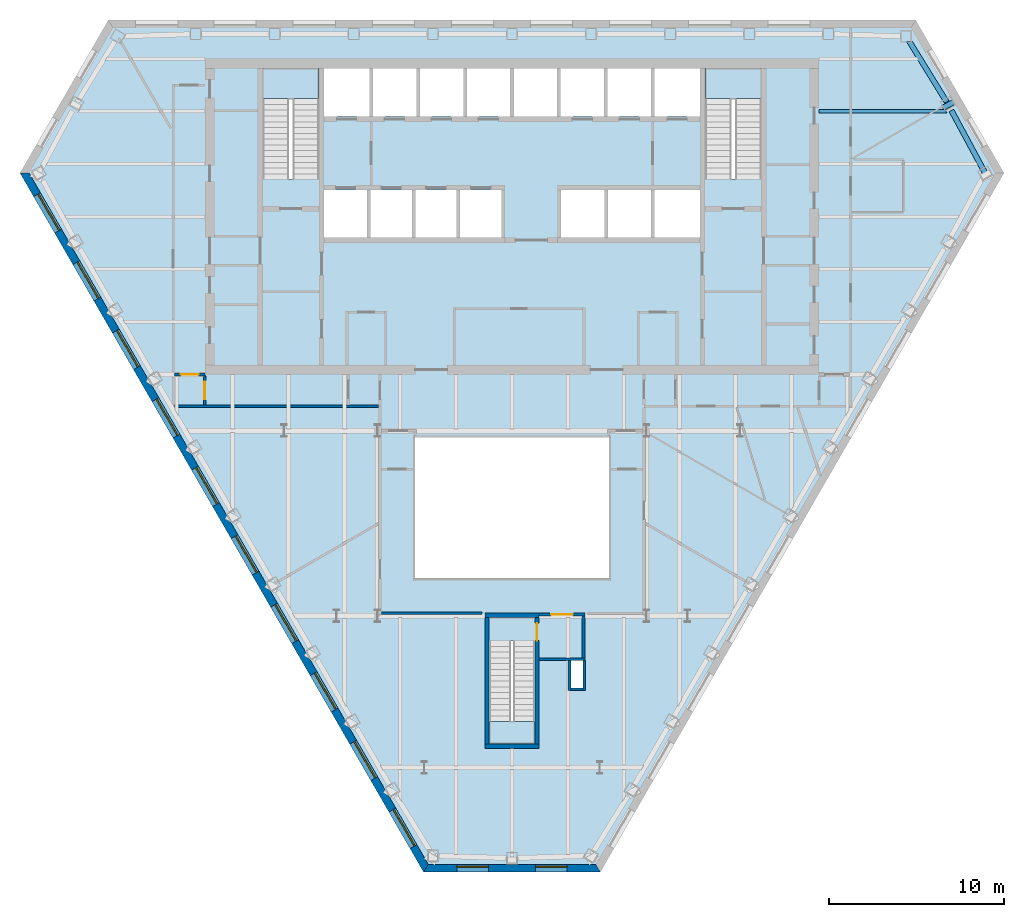
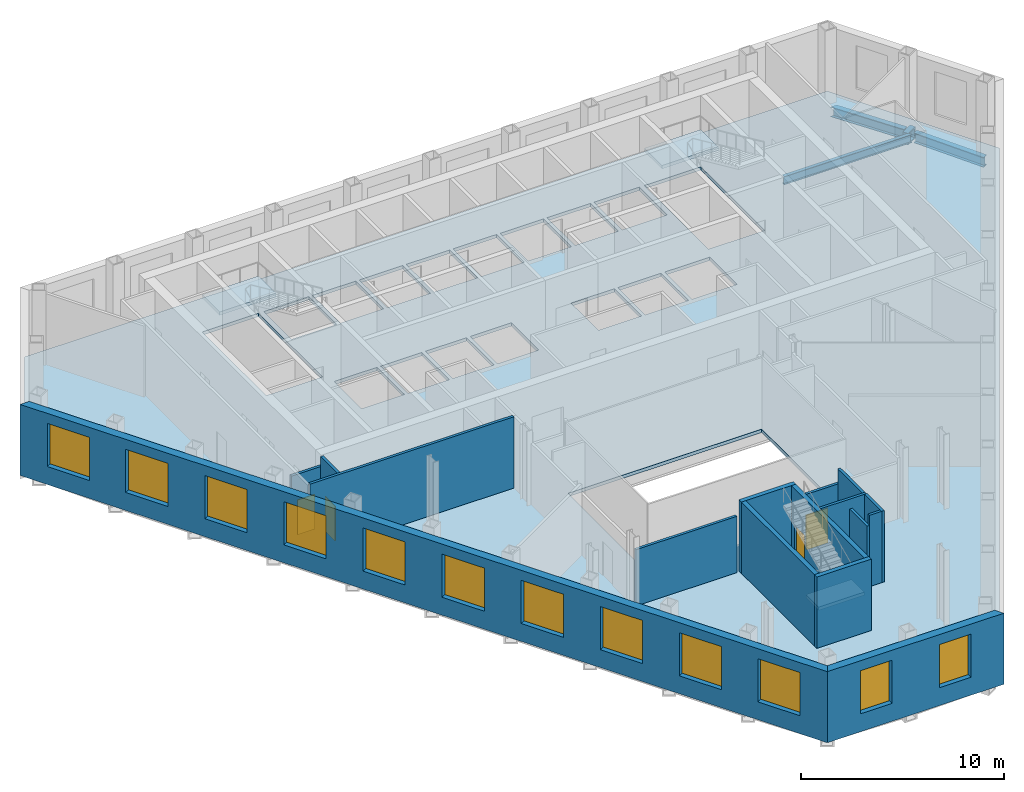
# One storey, part 4 of 11: 16 walls, 12 windows, 4 beams, 4 doors, 4 slabs, 16 openings, 3 elements without a shape of their own.
"""IFC4 building model written with IfcOpenShell, lengths in metres."""

from ifc_helpers import new_model, si_unit, direction, frame, frame_2d, origin, origin_2d, place, context, subcontext, project, spatial, polyline, rectangle, hollow_rectangle, i_section, outline, extrude, clip, halfspace, material, layer, layer_set, material_profile, profile_set, type_object, element, fill, aggregate, save


model = new_model("IFC4")

# Units and contexts
model_context = context("Model", 3, precision=1e-05, world=origin(), true_north=direction((0.0, 1.0)))
body_context = subcontext(model_context, "Body", "Model", "MODEL_VIEW")
ifc_project = project(units=[si_unit("LENGTHUNIT", "METRE"), si_unit("AREAUNIT", "SQUARE_METRE"), si_unit("VOLUMEUNIT", "CUBIC_METRE"), si_unit("PLANEANGLEUNIT", "RADIAN"), si_unit("MASSUNIT", "GRAM", prefix="KILO")], contexts=[model_context])

# Site, building, storey
site_placement = place(None, origin())
site = spatial("IfcSite", under=ifc_project, at=site_placement, CompositionType="ELEMENT")
building_placement = place(site_placement, origin())
building = spatial("IfcBuilding", under=site, at=building_placement, Name="Njiva Tower", CompositionType="ELEMENT")
storey_placement = place(building_placement, frame((0.0, 0.0, 97.8)))
storey = spatial("IfcBuildingStorey", under=building, at=storey_placement, Name="L20", CompositionType="ELEMENT", Elevation=97.8)

# Beams
ifc_material_1 = material(Name="Steel S355 J2", Category="steel")
ifc_material_profile_1 = material_profile(ifc_material_1, hollow_rectangle(XDim=0.7, YDim=0.7, WallThickness=0.08, at=origin_2d()), Name="BOX 700x700x80")
ifc_profile_set_1 = profile_set([ifc_material_profile_1], Name="Steel S355 J2")
beam_type_1 = type_object("IfcBeamType", Name="B19 Column jog beam BOX 700x700x80", PredefinedType="BEAM", material=ifc_profile_set_1)
beam_1_placement = place(storey_placement, frame((24.939, 15.231, -0.55), z_axis=(-0.479086844992, 0.877767506209, 0.0), x_axis=(-0.877767506209, -0.479086844992, 0.0)))
element("IfcBeam", 1, at=beam_1_placement, inside=storey, type_object=beam_type_1, Name="Column jog beam S07-B056", PredefinedType="BEAM", context=body_context, shape_type="SweptSolid", body=[
    extrude(hollow_rectangle(XDim=0.7, YDim=0.7, WallThickness=0.08, at=origin_2d()), origin(), (0.0, 0.0, 1.0), 0.2985),
])
ifc_material_profile_2 = material_profile(ifc_material_1, i_section(OverallWidth=0.2, OverallDepth=0.5, WebThickness=0.0102, FlangeThickness=0.016, at=origin_2d()), Name="IPE 500")
ifc_profile_set_2 = profile_set([ifc_material_profile_2], Name="Steel S355 J2")
beam_type_2 = type_object("IfcBeamType", Name="B24 Floor beam to the core IPE 500", PredefinedType="BEAM", material=ifc_profile_set_2)
beam_2_placement = place(storey_placement, frame((17.5, 15.0, -0.45), z_axis=(1.0, 0.0, 0.0), x_axis=(0.0, 1.0, 0.0)))
element("IfcBeam", 2, at=beam_2_placement, inside=storey, type_object=beam_type_2, Name="Floor beam to the core S07-B012", PredefinedType="BEAM", context=body_context, shape_type="Clipping", body=[
    clip(extrude(i_section(OverallWidth=0.2, OverallDepth=0.5, WebThickness=0.0102, FlangeThickness=0.016, at=origin_2d()), origin(), (0.0, 0.0, 1.0), 7.306), halfspace(frame((0.025, 0.0, 7.2131), z_axis=(0.499998009787, 0.0, 0.866026552831), x_axis=(0.0, 1.0, 0.0)), False)),
])
ifc_material_profile_3 = material_profile(ifc_material_1, i_section(OverallWidth=0.3, OverallDepth=0.6, WebThickness=0.0155, FlangeThickness=0.03, at=origin_2d()), Name="HEB 600")
ifc_profile_set_3 = profile_set([ifc_material_profile_3], Name="Steel S355 J2")
beam_type_3 = type_object("IfcBeamType", Name="B3 Short-span spandrel beam HEB 600", PredefinedType="SPANDREL", material=ifc_profile_set_3)
beam_3_placement = place(storey_placement, frame((26.958, 11.479, -0.5), z_axis=(-0.474217832527, 0.880407546147, 0.0), x_axis=(-0.880407546147, -0.474217832527, 0.0)))
element("IfcBeam", 3, at=beam_3_placement, inside=storey, type_object=beam_type_3, Name="Short-span spandrel beam S07-B164", PredefinedType="SPANDREL", context=body_context, shape_type="SweptSolid", body=[
    extrude(i_section(OverallWidth=0.3, OverallDepth=0.6, WebThickness=0.0155, FlangeThickness=0.03, at=origin_2d()), origin(), (0.0, 0.0, 1.0), 4.0424),
])
beam_4_placement = place(storey_placement, frame((24.771, 15.526, -0.5), z_axis=(-0.525434973083, 0.85083376112, 0.0), x_axis=(-0.85083376112, -0.525434973083, 0.0)))
element("IfcBeam", 4, at=beam_4_placement, inside=storey, type_object=beam_type_3, Name="Short-span spandrel beam S07-B159", PredefinedType="SPANDREL", context=body_context, shape_type="Clipping", body=[
    clip(extrude(i_section(OverallWidth=0.3, OverallDepth=0.6, WebThickness=0.0155, FlangeThickness=0.03, at=origin_2d()), origin(), (0.0, 0.0, 1.0), 4.1573), halfspace(frame((-0.0266, 0.0, 4.0278), z_axis=(-0.525434973083, 0.0, 0.85083376112), x_axis=(0.0, 1.0, 0.0)), False)),
])

# Stair, slab
ifc_material_2 = material(Name="Concrete C40/50", Category="concrete")
stair_type_1 = type_object("IfcStairType", Name="ST4 Exit stair 1500", PredefinedType="HALF_TURN_STAIR", material=ifc_material_2)
stair_1_placement = place(storey_placement, origin())
stair_1 = element("IfcStair", 5, at=stair_1_placement, inside=storey, type_object=stair_type_1, Name="Stair A", PredefinedType="HALF_TURN_STAIR")
ifc_layer_1 = layer(ifc_material_2, 0.2)
ifc_layer_set_1 = layer_set([ifc_layer_1], Name="Concrete C40/50")
slab_type_1 = type_object("IfcSlabType", Name="FL9 Stair landing 200", PredefinedType="LANDING", material=ifc_layer_set_1)
slab_1_placement = place(storey_placement, frame((0.0, 0.0, 2.05)))
slab_1 = element("IfcSlab", 6, at=slab_1_placement, type_object=slab_type_1, Name="ST-A landing 1", PredefinedType="LANDING", context=body_context, shape_type="SweptSolid", body=[
    extrude(outline(polyline([(-14.206, 15.72), (-10.994, 15.72), (-10.994, 17.45), (-14.206, 17.45), (-14.206, 15.72)])), origin(), (0.0, 0.0, 1.0), 0.2),
])
aggregate(stair_1, [slab_1])

stair_2_placement = place(storey_placement, origin())
stair_2 = element("IfcStair", 7, at=stair_2_placement, inside=storey, type_object=stair_type_1, Name="Stair B", PredefinedType="HALF_TURN_STAIR")
slab_2_placement = place(storey_placement, frame((0.0, 0.0, 2.05)))
slab_2 = element("IfcSlab", 8, at=slab_2_placement, type_object=slab_type_1, Name="ST-B landing 1", PredefinedType="LANDING", context=body_context, shape_type="SweptSolid", body=[
    extrude(outline(polyline([(10.994, 15.72), (14.206, 15.72), (14.206, 17.45), (10.994, 17.45), (10.994, 15.72)])), origin(), (0.0, 0.0, 1.0), 0.2),
])
aggregate(stair_2, [slab_2])

stair_type_2 = type_object("IfcStairType", Name="ST1 Exit stair 1250", PredefinedType="HALF_TURN_STAIR", material=ifc_material_2)
stair_3_placement = place(storey_placement, origin())
stair_3 = element("IfcStair", 9, at=stair_3_placement, inside=storey, type_object=stair_type_2, Name="Stair C", PredefinedType="HALF_TURN_STAIR")
slab_3_placement = place(storey_placement, frame((0.0, 0.0, 2.05)))
slab_3 = element("IfcSlab", 10, at=slab_3_placement, type_object=slab_type_1, Name="ST-C landing 1", PredefinedType="LANDING", context=body_context, shape_type="SweptSolid", body=[
    extrude(outline(polyline([(-1.306, -21.05), (1.306, -21.05), (1.306, -19.78), (-1.306, -19.78), (-1.306, -21.05)])), origin(), (0.0, 0.0, 1.0), 0.2),
])
aggregate(stair_3, [slab_3])

# Slab
ifc_material_3 = material(Name="Concrete C30/37", Category="concrete")
ifc_layer_2 = layer(ifc_material_3, 0.2)
ifc_layer_set_2 = layer_set([ifc_layer_2], Name="Concrete C30/37")
slab_type_2 = type_object("IfcSlabType", Name="SL16 Composite floor slab 200", PredefinedType="FLOOR", material=ifc_layer_set_2)
slab_4_placement = place(storey_placement, frame((0.0, 0.0, -0.2)))
element("IfcSlab", 11, at=slab_4_placement, inside=storey, type_object=slab_type_2, Name="Floor slab L20", PredefinedType="FLOOR", context=body_context, shape_type="SweptSolid", body=[
    extrude(outline(polyline([(27.7752, 11.4791), (4.9051, -28.133), (-4.9051, -28.133), (-27.7752, 11.4791), (-22.8701, 19.975), (22.8701, 19.975), (27.7752, 11.4791)]), holes=[polyline([(10.994, 11.13), (14.206, 11.13), (14.206, 17.45), (10.994, 17.45), (10.994, 11.13)]), polyline([(8.125, 17.45), (8.125, 14.7), (10.7, 14.7), (10.7, 17.45), (8.125, 17.45)]), polyline([(8.1333, 10.5), (8.1333, 7.8), (10.7, 7.8), (10.7, 10.5), (8.1333, 10.5)]), polyline([(5.4667, 10.5), (5.4667, 7.8), (7.9333, 7.8), (7.9333, 10.5), (5.4667, 10.5)]), polyline([(5.45, 17.45), (5.45, 14.7), (7.925, 14.7), (7.925, 17.45), (5.45, 17.45)]), polyline([(5.52, -11.6), (5.52, -3.6), (-5.52, -3.6), (-5.52, -11.6), (5.52, -11.6)]), polyline([(2.8, 7.8), (5.2667, 7.8), (5.2667, 10.5), (2.8, 10.5), (2.8, 7.8)]), polyline([(2.775, 14.7), (5.25, 14.7), (5.25, 17.45), (2.775, 17.45), (2.775, 14.7)]), polyline([(3.35, -17.85), (4.05, -17.85), (4.05, -16.3), (3.35, -16.3), (3.35, -17.85)]), polyline([(0.1, 14.7), (2.575, 14.7), (2.575, 17.45), (0.1, 17.45), (0.1, 14.7)]), polyline([(-1.306, -21.05), (1.306, -21.05), (1.306, -15.19), (-1.306, -15.19), (-1.306, -21.05)]), polyline([(-2.575, 17.45), (-2.575, 14.7), (-0.1, 14.7), (-0.1, 17.45), (-2.575, 17.45)]), polyline([(-2.95, 10.5), (-2.95, 7.8), (-0.6, 7.8), (-0.6, 10.5), (-2.95, 10.5)]), polyline([(-5.25, 17.45), (-5.25, 14.7), (-2.775, 14.7), (-2.775, 17.45), (-5.25, 17.45)]), polyline([(-5.5, 10.5), (-5.5, 7.8), (-3.15, 7.8), (-3.15, 10.5), (-5.5, 10.5)]), polyline([(-7.925, 14.7), (-5.45, 14.7), (-5.45, 17.45), (-7.925, 17.45), (-7.925, 14.7)]), polyline([(-8.05, 7.8), (-5.7, 7.8), (-5.7, 10.5), (-8.05, 10.5), (-8.05, 7.8)]), polyline([(-10.7, 14.7), (-8.125, 14.7), (-8.125, 17.45), (-10.7, 17.45), (-10.7, 14.7)]), polyline([(-10.7, 7.8), (-8.25, 7.8), (-8.25, 10.5), (-10.7, 10.5), (-10.7, 7.8)]), polyline([(-14.206, 11.13), (-10.994, 11.13), (-10.994, 17.45), (-14.206, 17.45), (-14.206, 11.13)])]), origin(), (0.0, 0.0, 1.0), 0.2),
])

# Wall
ifc_material_4 = material(Name="Gypsum board on steel studs", Category="gypsum")
ifc_layer_3 = layer(ifc_material_4, 0.15)
ifc_layer_set_3 = layer_set([ifc_layer_3], Name="Gypsum board on steel studs")
wall_type_1 = type_object("IfcWallType", Name="WT21 Compartment wall 150", PredefinedType="PARTITIONING", material=ifc_layer_set_3)
wall_1_placement = place(storey_placement, frame((-19.225, -1.8, 0.0), z_axis=(0.0, 0.0, 1.0), x_axis=(1.0, 0.0, 0.0)))
element("IfcWall", 12, at=wall_1_placement, inside=storey, type_object=wall_type_1, Name="Partition S07-P003", PredefinedType="PARTITIONING", context=body_context, shape_type="SweptSolid", body=[
    extrude(rectangle(XDim=11.63, YDim=0.15, at=frame_2d((5.815, 0.0))), origin(), (0.0, 0.0, 1.0), 4.3),
])

# Wall, opening, door
wall_2_placement = place(storey_placement, frame((-19.225, 0.0, 0.0), z_axis=(0.0, 0.0, 1.0), x_axis=(1.0, 0.0, 0.0)))
wall_2 = element("IfcWall", 13, at=wall_2_placement, inside=storey, type_object=wall_type_1, Name="Partition S07-P004", PredefinedType="PARTITIONING", context=body_context, shape_type="SweptSolid", body=[
    extrude(rectangle(XDim=1.725, YDim=0.15, at=frame_2d((0.8625, 0.0))), origin(), (0.0, 0.0, 1.0), 3.7),
])
opening_1_placement = place(wall_2_placement, frame((0.363, 0.0, 0.0)))
opening_1 = element("IfcOpeningElement", 14, at=opening_1_placement, cuts=wall_2, Name="Opening S07-D002", PredefinedType="OPENING", context=body_context, shape_type="SweptSolid", body=[
    extrude(rectangle(XDim=1.0, YDim=2.1, at=frame_2d((0.5, 1.05))), frame((0.0, 0.085, 0.0), z_axis=(0.0, -1.0, 0.0), x_axis=(1.0, 0.0, 0.0)), (0.0, 0.0, 1.0), 0.17),
])
ifc_material_5 = material(Name="Steel fire door set", Category="steel")
door_type_1 = type_object("IfcDoorType", Name="D37 Fire door 1000x2100", OperationType="SINGLE_SWING_LEFT", PredefinedType="DOOR", material=ifc_material_5)
door_1_placement = place(opening_1_placement, origin())
door_1 = element("IfcDoor", 15, at=door_1_placement, inside=storey, type_object=door_type_1, Name="Door S07-D002", OperationType="SINGLE_SWING_LEFT", OverallHeight=2.1, OverallWidth=1.0, PredefinedType="DOOR", context=body_context, shape_type="SweptSolid", body=[
    extrude(rectangle(XDim=1.0, YDim=2.1, at=frame_2d((0.5, 1.05))), frame((0.0, 0.025, 0.0), z_axis=(0.0, -1.0, 0.0), x_axis=(1.0, 0.0, 0.0)), (0.0, 0.0, 1.0), 0.05),
])
fill(opening_1, door_1)

wall_3_placement = place(storey_placement, frame((-17.5, -1.725, 0.0), z_axis=(0.0, 0.0, 1.0), x_axis=(0.0, 1.0, 0.0)))
wall_3 = element("IfcWall", 16, at=wall_3_placement, inside=storey, type_object=wall_type_1, Name="Partition S07-P006", PredefinedType="PARTITIONING", context=body_context, shape_type="SweptSolid", body=[
    extrude(rectangle(XDim=1.65, YDim=0.15, at=frame_2d((0.825, 0.0))), origin(), (0.0, 0.0, 1.0), 4.3),
])
opening_2_placement = place(wall_3_placement, frame((0.325, 0.0, 0.0)))
opening_2 = element("IfcOpeningElement", 17, at=opening_2_placement, cuts=wall_3, Name="Opening S07-D004", PredefinedType="OPENING", context=body_context, shape_type="SweptSolid", body=[
    extrude(rectangle(XDim=1.0, YDim=2.1, at=frame_2d((0.5, 1.05))), frame((0.0, 0.085, 0.0), z_axis=(0.0, -1.0, 0.0), x_axis=(1.0, 0.0, 0.0)), (0.0, 0.0, 1.0), 0.17),
])
door_2_placement = place(opening_2_placement, origin())
door_2 = element("IfcDoor", 18, at=door_2_placement, inside=storey, type_object=door_type_1, Name="Door S07-D004", OperationType="SINGLE_SWING_LEFT", OverallHeight=2.1, OverallWidth=1.0, PredefinedType="DOOR", context=body_context, shape_type="SweptSolid", body=[
    extrude(rectangle(XDim=1.0, YDim=2.1, at=frame_2d((0.5, 1.05))), frame((0.0, 0.025, 0.0), z_axis=(0.0, -1.0, 0.0), x_axis=(1.0, 0.0, 0.0)), (0.0, 0.0, 1.0), 0.05),
])
fill(opening_2, door_2)

# Walls
wall_4_placement = place(storey_placement, frame((-7.445, -13.6, 0.0), z_axis=(0.0, 0.0, 1.0), x_axis=(1.0, 0.0, 0.0)))
element("IfcWall", 19, at=wall_4_placement, inside=storey, type_object=wall_type_1, Name="Partition S07-P011", PredefinedType="PARTITIONING", context=body_context, shape_type="SweptSolid", body=[
    extrude(rectangle(XDim=5.745, YDim=0.15, at=frame_2d((2.8725, 0.0))), origin(), (0.0, 0.0, 1.0), 3.39),
])
ifc_material_6 = material(Name="Blockwork", Category="masonry")
ifc_layer_4 = layer(ifc_material_6, 0.15)
ifc_layer_set_4 = layer_set([ifc_layer_4], Name="Blockwork")
wall_type_2 = type_object("IfcWallType", Name="WT4 Stair partition 150", PredefinedType="PARTITIONING", material=ifc_layer_set_4)
wall_5_placement = place(storey_placement, frame((1.55, -16.225, 0.0), z_axis=(0.0, 0.0, 1.0), x_axis=(1.0, 0.0, 0.0)))
element("IfcWall", 20, at=wall_5_placement, inside=storey, type_object=wall_type_2, Name="Stair C vestibule wall south", PredefinedType="PARTITIONING", context=body_context, shape_type="SweptSolid", body=[
    extrude(rectangle(XDim=2.6, YDim=0.15, at=frame_2d((1.3, 0.0))), origin(), (0.0, 0.0, 1.0), 4.3),
])
wall_6_placement = place(storey_placement, frame((4.075, -16.15, 0.0), z_axis=(0.0, 0.0, 1.0), x_axis=(0.0, 1.0, 0.0)))
element("IfcWall", 21, at=wall_6_placement, inside=storey, type_object=wall_type_2, Name="Stair C vestibule wall east", PredefinedType="PARTITIONING", context=body_context, shape_type="SweptSolid", body=[
    extrude(rectangle(XDim=2.4, YDim=0.15, at=frame_2d((1.2, 0.0))), origin(), (0.0, 0.0, 1.0), 4.3),
])

# Wall, opening, door
wall_7_placement = place(storey_placement, frame((1.55, -13.675, 0.0), z_axis=(0.0, 0.0, 1.0), x_axis=(1.0, 0.0, 0.0)))
wall_7 = element("IfcWall", 22, at=wall_7_placement, inside=storey, type_object=wall_type_2, Name="Stair C vestibule wall north", PredefinedType="PARTITIONING", context=body_context, shape_type="SweptSolid", body=[
    extrude(rectangle(XDim=2.6, YDim=0.15, at=frame_2d((1.3, 0.0))), origin(), (0.0, 0.0, 1.0), 3.39),
])
opening_3_placement = place(wall_7_placement, frame((0.675, 0.0, 0.0)))
opening_3 = element("IfcOpeningElement", 23, at=opening_3_placement, cuts=wall_7, Name="Opening S07-D939", PredefinedType="OPENING", context=body_context, shape_type="SweptSolid", body=[
    extrude(rectangle(XDim=1.25, YDim=2.1, at=frame_2d((0.625, 1.05))), frame((0.0, 0.085, 0.0), z_axis=(0.0, -1.0, 0.0), x_axis=(1.0, 0.0, 0.0)), (0.0, 0.0, 1.0), 0.17),
])
ifc_material_7 = material(Name="Glazed steel fire door", Category="steel")
door_type_2 = type_object("IfcDoorType", Name="D8 Vestibule corridor door 1250x2100 glazed", OperationType="SINGLE_SWING_LEFT", PredefinedType="DOOR", material=ifc_material_7)
door_3_placement = place(opening_3_placement, origin())
door_3 = element("IfcDoor", 24, at=door_3_placement, inside=storey, type_object=door_type_2, Name="Stair vestibule corridor door", OperationType="SINGLE_SWING_RIGHT", OverallHeight=2.1, OverallWidth=1.25, PredefinedType="DOOR", context=body_context, shape_type="SweptSolid", body=[
    extrude(rectangle(XDim=1.25, YDim=2.1, at=frame_2d((0.625, 1.05))), frame((0.0, 0.025, 0.0), z_axis=(0.0, -1.0, 0.0), x_axis=(1.0, 0.0, 0.0)), (0.0, 0.0, 1.0), 0.05),
])
fill(opening_3, door_3)

# Walls
wall_8_placement = place(storey_placement, frame((3.275, -18.0, 0.0), z_axis=(0.0, 0.0, 1.0), x_axis=(0.0, 1.0, 0.0)))
element("IfcWall", 25, at=wall_8_placement, inside=storey, type_object=wall_type_2, Name="Stair C pressurisation shaft wall", PredefinedType="PARTITIONING", context=body_context, shape_type="SweptSolid", body=[
    extrude(rectangle(XDim=1.7, YDim=0.15, at=frame_2d((0.85, 0.0))), origin(), (0.0, 0.0, 1.0), 3.7),
])
wall_9_placement = place(storey_placement, frame((3.35, -17.925, 0.0), z_axis=(0.0, 0.0, 1.0), x_axis=(1.0, 0.0, 0.0)))
element("IfcWall", 26, at=wall_9_placement, inside=storey, type_object=wall_type_2, Name="Stair C pressurisation shaft wall", PredefinedType="PARTITIONING", context=body_context, shape_type="SweptSolid", body=[
    extrude(rectangle(XDim=0.7, YDim=0.15, at=frame_2d((0.35, 0.0))), origin(), (0.0, 0.0, 1.0), 4.3),
])
wall_10_placement = place(storey_placement, frame((4.125, -18.0, 0.0), z_axis=(0.0, 0.0, 1.0), x_axis=(0.0, 1.0, 0.0)))
element("IfcWall", 27, at=wall_10_placement, inside=storey, type_object=wall_type_2, Name="Stair C pressurisation shaft wall", PredefinedType="PARTITIONING", context=body_context, shape_type="SweptSolid", body=[
    extrude(rectangle(XDim=1.7, YDim=0.15, at=frame_2d((0.85, 0.0))), origin(), (0.0, 0.0, 1.0), 4.3),
])
ifc_layer_5 = layer(ifc_material_2, 0.25)
ifc_layer_set_5 = layer_set([ifc_layer_5], Name="Concrete C40/50")
wall_type_3 = type_object("IfcWallType", Name="WT9 Stair enclosure wall 250", PredefinedType="SHEAR", material=ifc_layer_set_5)
wall_11_placement = place(storey_placement, frame((-1.425, -21.05, 0.0), z_axis=(0.0, 0.0, 1.0), x_axis=(0.0, 1.0, 0.0)))
element("IfcWall", 28, at=wall_11_placement, inside=storey, type_object=wall_type_3, Name="Stair C wall west", PredefinedType="SHEAR", context=body_context, shape_type="SweptSolid", body=[
    extrude(rectangle(XDim=7.2, YDim=0.25, at=frame_2d((3.6, 0.0))), origin(), (0.0, 0.0, 1.0), 4.3),
])

# Wall, opening, door
wall_12_placement = place(storey_placement, frame((1.425, -21.05, 0.0), z_axis=(0.0, 0.0, 1.0), x_axis=(0.0, 1.0, 0.0)))
wall_12 = element("IfcWall", 29, at=wall_12_placement, inside=storey, type_object=wall_type_3, Name="Stair C wall east", PredefinedType="SHEAR", context=body_context, shape_type="SweptSolid", body=[
    extrude(rectangle(XDim=7.2, YDim=0.25, at=frame_2d((3.6, 0.0))), origin(), (0.0, 0.0, 1.0), 4.3),
])
opening_4_placement = place(wall_12_placement, frame((5.89, 0.0, 0.0)))
opening_4 = element("IfcOpeningElement", 30, at=opening_4_placement, cuts=wall_12, Name="Opening S07-D938", PredefinedType="OPENING", context=body_context, shape_type="SweptSolid", body=[
    extrude(rectangle(XDim=1.0, YDim=2.1, at=frame_2d((0.5, 1.05))), frame((0.0, 0.135, 0.0), z_axis=(0.0, -1.0, 0.0), x_axis=(1.0, 0.0, 0.0)), (0.0, 0.0, 1.0), 0.27),
])
door_type_3 = type_object("IfcDoorType", Name="D9 Stair vestibule door 1000x2100 glazed", OperationType="SINGLE_SWING_LEFT", PredefinedType="DOOR", material=ifc_material_7)
door_4_placement = place(opening_4_placement, origin())
door_4 = element("IfcDoor", 31, at=door_4_placement, inside=storey, type_object=door_type_3, Name="Stair C door", OperationType="SINGLE_SWING_LEFT", OverallHeight=2.1, OverallWidth=1.0, PredefinedType="DOOR", context=body_context, shape_type="SweptSolid", body=[
    extrude(rectangle(XDim=1.0, YDim=2.1, at=frame_2d((0.5, 1.05))), frame((0.0, 0.025, 0.0), z_axis=(0.0, -1.0, 0.0), x_axis=(1.0, 0.0, 0.0)), (0.0, 0.0, 1.0), 0.05),
])
fill(opening_4, door_4)

# Walls
for number, where, z_axis, x_axis, name in (
    (32, (-1.55, -21.175, 0.0), (0.0, 0.0, 1.0), (1.0, 0.0, 0.0), "Stair C wall south"),
    (33, (-1.55, -13.725, 0.0), (0.0, 0.0, 1.0), (1.0, 0.0, 0.0), "Stair C wall north"),
):
    element("IfcWall", number, at=place(storey_placement, frame(where, z_axis=z_axis, x_axis=x_axis)), inside=storey, type_object=wall_type_3, Name=name, PredefinedType="SHEAR", context=body_context, shape_type="SweptSolid", body=[
        extrude(rectangle(XDim=3.1, YDim=0.25, at=frame_2d((1.55, 0.0))), origin(), (0.0, 0.0, 1.0), 4.3),
    ])

# Wall, openings, windows
ifc_material_8 = material(Name="Brick masonry", Category="masonry")
ifc_layer_6 = layer(ifc_material_8, 0.45)
ifc_layer_set_6 = layer_set([ifc_layer_6], Name="Brick masonry")
wall_type_4 = type_object("IfcWallType", Name="WT90 Brick pier and spandrel wall 450", PredefinedType="SOLIDWALL", material=ifc_layer_set_6)
wall_13_placement = place(storey_placement, frame((-27.7752, 11.4791, -0.18), z_axis=(0.0, 0.0, 1.0), x_axis=(0.500000711659, -0.866024992908, 0.0)))
wall_13 = element("IfcWall", 34, at=wall_13_placement, inside=storey, type_object=wall_type_4, Name="Facade wall SW", PredefinedType="SOLIDWALL", context=body_context, shape_type="SweptSolid", body=[
    extrude(outline(polyline([(-0.1299, -0.225), (45.87, -0.225), (45.6102, 0.225), (0.1299, 0.225), (-0.1299, -0.225)])), origin(), (0.0, 0.0, 1.0), 4.28),
])
opening_5_placement = place(wall_13_placement, frame((1.4242, 0.0, 1.08)))
opening_5 = element("IfcOpeningElement", 35, at=opening_5_placement, cuts=wall_13, Name="Opening S07-W12", PredefinedType="OPENING", context=body_context, shape_type="SweptSolid", body=[
    extrude(rectangle(XDim=2.4, YDim=2.6, at=frame_2d((1.2, 1.3))), frame((0.0, 0.235, 0.0), z_axis=(0.0, -1.0, 0.0), x_axis=(1.0, 0.0, 0.0)), (0.0, 0.0, 1.0), 0.47),
])
opening_6_placement = place(wall_13_placement, frame((5.8934, 0.0, 1.08)))
opening_6 = element("IfcOpeningElement", 36, at=opening_6_placement, cuts=wall_13, Name="Opening S07-W13", PredefinedType="OPENING", context=body_context, shape_type="SweptSolid", body=[
    extrude(rectangle(XDim=2.4, YDim=2.6, at=frame_2d((1.2, 1.3))), frame((0.0, 0.235, 0.0), z_axis=(0.0, -1.0, 0.0), x_axis=(1.0, 0.0, 0.0)), (0.0, 0.0, 1.0), 0.47),
])
opening_7_placement = place(wall_13_placement, frame((10.401, 0.0, 1.08)))
opening_7 = element("IfcOpeningElement", 37, at=opening_7_placement, cuts=wall_13, Name="Opening S07-W14", PredefinedType="OPENING", context=body_context, shape_type="SweptSolid", body=[
    extrude(rectangle(XDim=2.4, YDim=2.6, at=frame_2d((1.2, 1.3))), frame((0.0, 0.235, 0.0), z_axis=(0.0, -1.0, 0.0), x_axis=(1.0, 0.0, 0.0)), (0.0, 0.0, 1.0), 0.47),
])
opening_8_placement = place(wall_13_placement, frame((14.9087, 0.0, 1.08)))
opening_8 = element("IfcOpeningElement", 38, at=opening_8_placement, cuts=wall_13, Name="Opening S07-W15", PredefinedType="OPENING", context=body_context, shape_type="SweptSolid", body=[
    extrude(rectangle(XDim=2.4, YDim=2.6, at=frame_2d((1.2, 1.3))), frame((0.0, 0.235, 0.0), z_axis=(0.0, -1.0, 0.0), x_axis=(1.0, 0.0, 0.0)), (0.0, 0.0, 1.0), 0.47),
])
opening_9_placement = place(wall_13_placement, frame((19.4163, 0.0, 1.08)))
opening_9 = element("IfcOpeningElement", 39, at=opening_9_placement, cuts=wall_13, Name="Opening S07-W16", PredefinedType="OPENING", context=body_context, shape_type="SweptSolid", body=[
    extrude(rectangle(XDim=2.4, YDim=2.6, at=frame_2d((1.2, 1.3))), frame((0.0, 0.235, 0.0), z_axis=(0.0, -1.0, 0.0), x_axis=(1.0, 0.0, 0.0)), (0.0, 0.0, 1.0), 0.47),
])
opening_10_placement = place(wall_13_placement, frame((23.9239, 0.0, 1.08)))
opening_10 = element("IfcOpeningElement", 40, at=opening_10_placement, cuts=wall_13, Name="Opening S07-W17", PredefinedType="OPENING", context=body_context, shape_type="SweptSolid", body=[
    extrude(rectangle(XDim=2.4, YDim=2.6, at=frame_2d((1.2, 1.3))), frame((0.0, 0.235, 0.0), z_axis=(0.0, -1.0, 0.0), x_axis=(1.0, 0.0, 0.0)), (0.0, 0.0, 1.0), 0.47),
])
opening_11_placement = place(wall_13_placement, frame((28.4315, 0.0, 1.08)))
opening_11 = element("IfcOpeningElement", 41, at=opening_11_placement, cuts=wall_13, Name="Opening S07-W18", PredefinedType="OPENING", context=body_context, shape_type="SweptSolid", body=[
    extrude(rectangle(XDim=2.4, YDim=2.6, at=frame_2d((1.2, 1.3))), frame((0.0, 0.235, 0.0), z_axis=(0.0, -1.0, 0.0), x_axis=(1.0, 0.0, 0.0)), (0.0, 0.0, 1.0), 0.47),
])
opening_12_placement = place(wall_13_placement, frame((32.9391, 0.0, 1.08)))
opening_12 = element("IfcOpeningElement", 42, at=opening_12_placement, cuts=wall_13, Name="Opening S07-W19", PredefinedType="OPENING", context=body_context, shape_type="SweptSolid", body=[
    extrude(rectangle(XDim=2.4, YDim=2.6, at=frame_2d((1.2, 1.3))), frame((0.0, 0.235, 0.0), z_axis=(0.0, -1.0, 0.0), x_axis=(1.0, 0.0, 0.0)), (0.0, 0.0, 1.0), 0.47),
])
opening_13_placement = place(wall_13_placement, frame((37.4468, 0.0, 1.08)))
opening_13 = element("IfcOpeningElement", 43, at=opening_13_placement, cuts=wall_13, Name="Opening S07-W20", PredefinedType="OPENING", context=body_context, shape_type="SweptSolid", body=[
    extrude(rectangle(XDim=2.4, YDim=2.6, at=frame_2d((1.2, 1.3))), frame((0.0, 0.235, 0.0), z_axis=(0.0, -1.0, 0.0), x_axis=(1.0, 0.0, 0.0)), (0.0, 0.0, 1.0), 0.47),
])
opening_14_placement = place(wall_13_placement, frame((41.916, 0.0, 1.08)))
opening_14 = element("IfcOpeningElement", 44, at=opening_14_placement, cuts=wall_13, Name="Opening S07-W21", PredefinedType="OPENING", context=body_context, shape_type="SweptSolid", body=[
    extrude(rectangle(XDim=2.4, YDim=2.6, at=frame_2d((1.2, 1.3))), frame((0.0, 0.235, 0.0), z_axis=(0.0, -1.0, 0.0), x_axis=(1.0, 0.0, 0.0)), (0.0, 0.0, 1.0), 0.47),
])
ifc_material_9 = material(Name="Clear glazing in aluminium frame", Category="aluminium")
window_type_1 = type_object("IfcWindowType", Name="W92 Deep-set window 2400x2600", PartitioningType="SINGLE_PANEL", PredefinedType="WINDOW", material=ifc_material_9)
window_1_placement = place(opening_5_placement, origin())
window_1 = element("IfcWindow", 45, at=window_1_placement, inside=storey, type_object=window_type_1, Name="Window", OverallHeight=2.6, OverallWidth=2.4, PartitioningType="SINGLE_PANEL", PredefinedType="WINDOW", context=body_context, shape_type="SweptSolid", body=[
    extrude(rectangle(XDim=2.4, YDim=2.6, at=frame_2d((1.2, 1.3))), frame((0.0, 0.105, 0.0), z_axis=(0.0, -1.0, 0.0), x_axis=(1.0, 0.0, 0.0)), (0.0, 0.0, 1.0), 0.06),
])
fill(opening_5, window_1)
window_2_placement = place(opening_6_placement, origin())
window_2 = element("IfcWindow", 46, at=window_2_placement, inside=storey, type_object=window_type_1, Name="Window", OverallHeight=2.6, OverallWidth=2.4, PartitioningType="SINGLE_PANEL", PredefinedType="WINDOW", context=body_context, shape_type="SweptSolid", body=[
    extrude(rectangle(XDim=2.4, YDim=2.6, at=frame_2d((1.2, 1.3))), frame((0.0, 0.105, 0.0), z_axis=(0.0, -1.0, 0.0), x_axis=(1.0, 0.0, 0.0)), (0.0, 0.0, 1.0), 0.06),
])
fill(opening_6, window_2)
window_3_placement = place(opening_7_placement, origin())
window_3 = element("IfcWindow", 47, at=window_3_placement, inside=storey, type_object=window_type_1, Name="Window", OverallHeight=2.6, OverallWidth=2.4, PartitioningType="SINGLE_PANEL", PredefinedType="WINDOW", context=body_context, shape_type="SweptSolid", body=[
    extrude(rectangle(XDim=2.4, YDim=2.6, at=frame_2d((1.2, 1.3))), frame((0.0, 0.105, 0.0), z_axis=(0.0, -1.0, 0.0), x_axis=(1.0, 0.0, 0.0)), (0.0, 0.0, 1.0), 0.06),
])
fill(opening_7, window_3)
window_4_placement = place(opening_8_placement, origin())
window_4 = element("IfcWindow", 48, at=window_4_placement, inside=storey, type_object=window_type_1, Name="Window", OverallHeight=2.6, OverallWidth=2.4, PartitioningType="SINGLE_PANEL", PredefinedType="WINDOW", context=body_context, shape_type="SweptSolid", body=[
    extrude(rectangle(XDim=2.4, YDim=2.6, at=frame_2d((1.2, 1.3))), frame((0.0, 0.105, 0.0), z_axis=(0.0, -1.0, 0.0), x_axis=(1.0, 0.0, 0.0)), (0.0, 0.0, 1.0), 0.06),
])
fill(opening_8, window_4)
window_5_placement = place(opening_9_placement, origin())
window_5 = element("IfcWindow", 49, at=window_5_placement, inside=storey, type_object=window_type_1, Name="Window", OverallHeight=2.6, OverallWidth=2.4, PartitioningType="SINGLE_PANEL", PredefinedType="WINDOW", context=body_context, shape_type="SweptSolid", body=[
    extrude(rectangle(XDim=2.4, YDim=2.6, at=frame_2d((1.2, 1.3))), frame((0.0, 0.105, 0.0), z_axis=(0.0, -1.0, 0.0), x_axis=(1.0, 0.0, 0.0)), (0.0, 0.0, 1.0), 0.06),
])
fill(opening_9, window_5)
window_6_placement = place(opening_10_placement, origin())
window_6 = element("IfcWindow", 50, at=window_6_placement, inside=storey, type_object=window_type_1, Name="Window", OverallHeight=2.6, OverallWidth=2.4, PartitioningType="SINGLE_PANEL", PredefinedType="WINDOW", context=body_context, shape_type="SweptSolid", body=[
    extrude(rectangle(XDim=2.4, YDim=2.6, at=frame_2d((1.2, 1.3))), frame((0.0, 0.105, 0.0), z_axis=(0.0, -1.0, 0.0), x_axis=(1.0, 0.0, 0.0)), (0.0, 0.0, 1.0), 0.06),
])
fill(opening_10, window_6)
window_7_placement = place(opening_11_placement, origin())
window_7 = element("IfcWindow", 51, at=window_7_placement, inside=storey, type_object=window_type_1, Name="Window", OverallHeight=2.6, OverallWidth=2.4, PartitioningType="SINGLE_PANEL", PredefinedType="WINDOW", context=body_context, shape_type="SweptSolid", body=[
    extrude(rectangle(XDim=2.4, YDim=2.6, at=frame_2d((1.2, 1.3))), frame((0.0, 0.105, 0.0), z_axis=(0.0, -1.0, 0.0), x_axis=(1.0, 0.0, 0.0)), (0.0, 0.0, 1.0), 0.06),
])
fill(opening_11, window_7)
window_8_placement = place(opening_12_placement, origin())
window_8 = element("IfcWindow", 52, at=window_8_placement, inside=storey, type_object=window_type_1, Name="Window", OverallHeight=2.6, OverallWidth=2.4, PartitioningType="SINGLE_PANEL", PredefinedType="WINDOW", context=body_context, shape_type="SweptSolid", body=[
    extrude(rectangle(XDim=2.4, YDim=2.6, at=frame_2d((1.2, 1.3))), frame((0.0, 0.105, 0.0), z_axis=(0.0, -1.0, 0.0), x_axis=(1.0, 0.0, 0.0)), (0.0, 0.0, 1.0), 0.06),
])
fill(opening_12, window_8)
window_9_placement = place(opening_13_placement, origin())
window_9 = element("IfcWindow", 53, at=window_9_placement, inside=storey, type_object=window_type_1, Name="Window", OverallHeight=2.6, OverallWidth=2.4, PartitioningType="SINGLE_PANEL", PredefinedType="WINDOW", context=body_context, shape_type="SweptSolid", body=[
    extrude(rectangle(XDim=2.4, YDim=2.6, at=frame_2d((1.2, 1.3))), frame((0.0, 0.105, 0.0), z_axis=(0.0, -1.0, 0.0), x_axis=(1.0, 0.0, 0.0)), (0.0, 0.0, 1.0), 0.06),
])
fill(opening_13, window_9)
window_10_placement = place(opening_14_placement, origin())
window_10 = element("IfcWindow", 54, at=window_10_placement, inside=storey, type_object=window_type_1, Name="Window", OverallHeight=2.6, OverallWidth=2.4, PartitioningType="SINGLE_PANEL", PredefinedType="WINDOW", context=body_context, shape_type="SweptSolid", body=[
    extrude(rectangle(XDim=2.4, YDim=2.6, at=frame_2d((1.2, 1.3))), frame((0.0, 0.105, 0.0), z_axis=(0.0, -1.0, 0.0), x_axis=(1.0, 0.0, 0.0)), (0.0, 0.0, 1.0), 0.06),
])
fill(opening_14, window_10)

ifc_material_10 = material(Name="Brick masonry, buff", Category="masonry")
ifc_layer_7 = layer(ifc_material_10, 0.45)
ifc_layer_set_7 = layer_set([ifc_layer_7], Name="Brick masonry, buff")
wall_type_5 = type_object("IfcWallType", Name="WT94 Brick pier and spandrel wall 450, buff", PredefinedType="SOLIDWALL", material=ifc_layer_set_7)
wall_14_placement = place(storey_placement, frame((-4.9051, -28.133, -0.18), z_axis=(0.0, 0.0, 1.0), x_axis=(1.0, 0.0, 0.0)))
wall_14 = element("IfcWall", 55, at=wall_14_placement, inside=storey, type_object=wall_type_5, Name="Facade wall S", PredefinedType="SOLIDWALL", context=body_context, shape_type="SweptSolid", body=[
    extrude(outline(polyline([(-0.1299, -0.225), (9.9401, -0.225), (9.6803, 0.225), (0.1299, 0.225), (-0.1299, -0.225)])), origin(), (0.0, 0.0, 1.0), 4.28),
])
opening_15_placement = place(wall_14_placement, frame((1.7569, 0.0, 1.08)))
opening_15 = element("IfcOpeningElement", 56, at=opening_15_placement, cuts=wall_14, Name="Opening S07-W22", PredefinedType="OPENING", context=body_context, shape_type="SweptSolid", body=[
    extrude(rectangle(XDim=1.8, YDim=2.6, at=frame_2d((0.9, 1.3))), frame((0.0, 0.235, 0.0), z_axis=(0.0, -1.0, 0.0), x_axis=(1.0, 0.0, 0.0)), (0.0, 0.0, 1.0), 0.47),
])
opening_16_placement = place(wall_14_placement, frame((6.2532, 0.0, 1.08)))
opening_16 = element("IfcOpeningElement", 57, at=opening_16_placement, cuts=wall_14, Name="Opening S07-W23", PredefinedType="OPENING", context=body_context, shape_type="SweptSolid", body=[
    extrude(rectangle(XDim=1.8, YDim=2.6, at=frame_2d((0.9, 1.3))), frame((0.0, 0.235, 0.0), z_axis=(0.0, -1.0, 0.0), x_axis=(1.0, 0.0, 0.0)), (0.0, 0.0, 1.0), 0.47),
])
window_type_2 = type_object("IfcWindowType", Name="W96 Deep-set window 1800x2600", PartitioningType="SINGLE_PANEL", PredefinedType="WINDOW", material=ifc_material_9)
window_11_placement = place(opening_15_placement, origin())
window_11 = element("IfcWindow", 58, at=window_11_placement, inside=storey, type_object=window_type_2, Name="Window", OverallHeight=2.6, OverallWidth=1.8, PartitioningType="SINGLE_PANEL", PredefinedType="WINDOW", context=body_context, shape_type="SweptSolid", body=[
    extrude(rectangle(XDim=1.8, YDim=2.6, at=frame_2d((0.9, 1.3))), frame((0.0, 0.105, 0.0), z_axis=(0.0, -1.0, 0.0), x_axis=(1.0, 0.0, 0.0)), (0.0, 0.0, 1.0), 0.06),
])
fill(opening_15, window_11)
window_12_placement = place(opening_16_placement, origin())
window_12 = element("IfcWindow", 59, at=window_12_placement, inside=storey, type_object=window_type_2, Name="Window", OverallHeight=2.6, OverallWidth=1.8, PartitioningType="SINGLE_PANEL", PredefinedType="WINDOW", context=body_context, shape_type="SweptSolid", body=[
    extrude(rectangle(XDim=1.8, YDim=2.6, at=frame_2d((0.9, 1.3))), frame((0.0, 0.105, 0.0), z_axis=(0.0, -1.0, 0.0), x_axis=(1.0, 0.0, 0.0)), (0.0, 0.0, 1.0), 0.06),
])
fill(opening_16, window_12)

save(model, "model.ifc")
